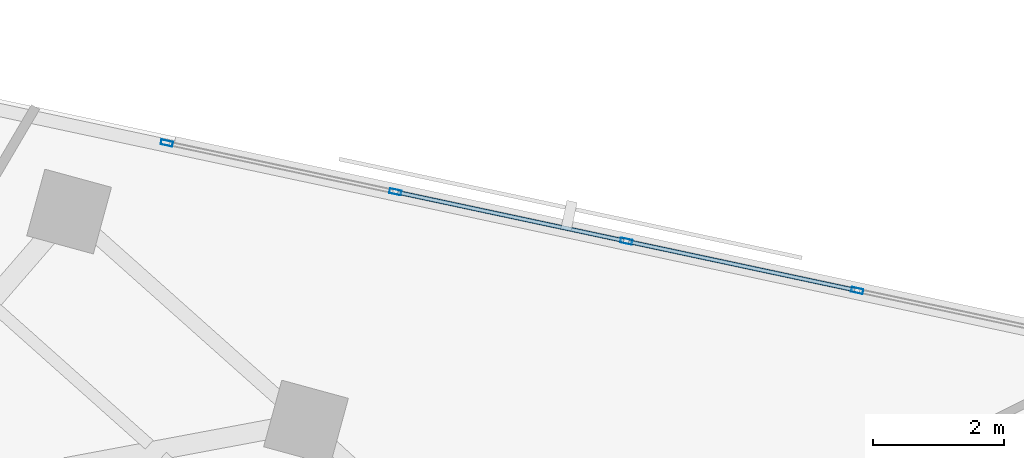
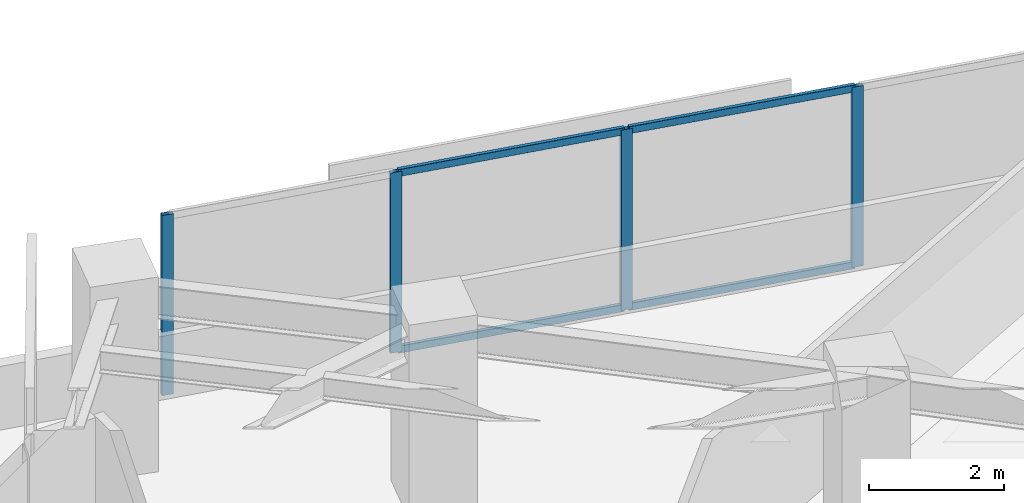
# One storey, part 4 of 13: 8 members, 1 element without a shape of its own.
"""IFC4 building model written with IfcOpenShell, lengths in metres."""

from ifc_helpers import new_model, si_unit, direction, frame, origin, origin_2d, place, context, subcontext, project, spatial, hollow_rectangle, extrude, material, material_profile, profile_set, type_object, element, aggregate, save


model = new_model("IFC4")

# Units and contexts
model_context = context("Model", 3, precision=1e-05, world=origin(), true_north=direction((0.0, 1.0)))
body_context = subcontext(model_context, "Body", "Model", "MODEL_VIEW")
ifc_project = project(units=[si_unit("LENGTHUNIT", "METRE"), si_unit("AREAUNIT", "SQUARE_METRE"), si_unit("VOLUMEUNIT", "CUBIC_METRE"), si_unit("PLANEANGLEUNIT", "RADIAN"), si_unit("MASSUNIT", "GRAM", prefix="KILO")], contexts=[model_context])

# Site, building, storey
site_placement = place(None, origin())
site = spatial("IfcSite", under=ifc_project, at=site_placement, CompositionType="ELEMENT")
building_placement = place(site_placement, origin())
building = spatial("IfcBuilding", under=site, at=building_placement, Name="Narakoshi Arena Tower", CompositionType="ELEMENT")
storey_placement = place(building_placement, frame((0.0, 0.0, 200.89990234375)))
storey = spatial("IfcBuildingStorey", under=building, at=storey_placement, Name="L54", CompositionType="ELEMENT", Elevation=200.89990234375)

# Curtain wall, members
ifc_material = material(Name="Anodised bronze aluminium 6063-T6", Category="aluminium")
curtain_wall_type = type_object("IfcCurtainWallType", Name="CW-HYP-MID", PredefinedType="NOTDEFINED", material=ifc_material)
curtain_wall_placement = place(storey_placement, origin())
curtain_wall = element("IfcCurtainWall", 1, at=curtain_wall_placement, inside=storey, type_object=curtain_wall_type, Name="L54 Folded Hypotenuse Curtain Wall 1-1", PredefinedType="NOTDEFINED")
ifc_material_profile_1 = material_profile(ifc_material, hollow_rectangle(XDim=0.074951171875, YDim=0.179931640625, WallThickness=0.00390625, OuterFilletRadius=0.0048828125, at=origin_2d()), Name="MUL180x75x4")
ifc_profile_set_1 = profile_set([ifc_material_profile_1], Name="Anodised bronze aluminium 6063-T6")
member_type_1 = type_object("IfcMemberType", Name="MEM-MUL-180", PredefinedType="MULLION", material=ifc_profile_set_1)
member_1_placement = place(storey_placement, frame((101.553955078125, 59.932861328125, 0.0), z_axis=(0.0, 0.0, 1.0), x_axis=(-0.208899163248, -0.977937185914, 0.0)))
member_1 = element("IfcMember", 2, at=member_1_placement, type_object=member_type_1, Name="CW-02 mullion 5", PredefinedType="MULLION", context=body_context, shape_type="SweptSolid", body=[
    extrude(hollow_rectangle(XDim=0.074951171875, YDim=0.179931640625, WallThickness=0.00390625, OuterFilletRadius=0.0048828125, at=origin_2d()), origin(), (0.0, 0.0, 1.0), 3.260009765625),
])
member_2_placement = place(storey_placement, frame((98.0400390625, 60.68359375, 0.0), z_axis=(0.0, 0.0, 1.0), x_axis=(-0.208899163248, -0.977937185914, 0.0)))
member_2 = element("IfcMember", 3, at=member_2_placement, type_object=member_type_1, Name="CW-02 mullion 6", PredefinedType="MULLION", context=body_context, shape_type="SweptSolid", body=[
    extrude(hollow_rectangle(XDim=0.074951171875, YDim=0.179931640625, WallThickness=0.00390625, OuterFilletRadius=0.0048828125, at=origin_2d()), origin(), (0.0, 0.0, 1.0), 3.260009765625),
])
member_3_placement = place(storey_placement, frame((94.52587890625, 61.434326171875, 0.0), z_axis=(0.0, 0.0, 1.0), x_axis=(-0.208899163248, -0.977937185914, 0.0)))
member_3 = element("IfcMember", 4, at=member_3_placement, type_object=member_type_1, Name="CW-02 mullion 7", PredefinedType="MULLION", context=body_context, shape_type="SweptSolid", body=[
    extrude(hollow_rectangle(XDim=0.074951171875, YDim=0.179931640625, WallThickness=0.00390625, OuterFilletRadius=0.0048828125, at=origin_2d()), origin(), (0.0, 0.0, 1.0), 3.260009765625),
])
member_4_placement = place(storey_placement, frame((91.04833984375, 62.177001953125, 0.0), z_axis=(0.0, 0.0, 1.0), x_axis=(-0.208899163248, -0.977937185914, 0.0)))
member_4 = element("IfcMember", 5, at=member_4_placement, type_object=member_type_1, Name="CW-02 mullion 8", PredefinedType="MULLION", context=body_context, shape_type="SweptSolid", body=[
    extrude(hollow_rectangle(XDim=0.074951171875, YDim=0.179931640625, WallThickness=0.00390625, OuterFilletRadius=0.0048828125, at=origin_2d()), origin(), (0.0, 0.0, 1.0), 3.260009765625),
])
ifc_material_profile_2 = material_profile(ifc_material, hollow_rectangle(XDim=0.06494140625, YDim=0.1298828125, WallThickness=0.00390625, OuterFilletRadius=0.0048828125, at=origin_2d()), Name="TRN130x65x4")
ifc_profile_set_2 = profile_set([ifc_material_profile_2], Name="Anodised bronze aluminium 6063-T6")
member_type_2 = type_object("IfcMemberType", Name="MEM-TRN-130", PredefinedType="USERDEFINED", material=ifc_profile_set_2)
member_5_placement = place(storey_placement, frame((101.517333984375, 59.940673828125, 0.03271484375), z_axis=(-0.977929169638, 0.208936686992, 0.0), x_axis=(-0.208936686992, -0.977929169638, 0.0)))
member_5 = element("IfcMember", 6, at=member_5_placement, type_object=member_type_2, Name="CW-02 transom 5.1", ObjectType="TRANSOM", PredefinedType="USERDEFINED", context=body_context, shape_type="SweptSolid", body=[
    extrude(hollow_rectangle(XDim=0.06494140625, YDim=0.1298828125, WallThickness=0.00390625, OuterFilletRadius=0.0048828125, at=origin_2d()), origin(), (0.0, 0.0, 1.0), 3.518310546875),
])
member_6_placement = place(storey_placement, frame((101.517333984375, 59.940673828125, 3.2275390625), z_axis=(-0.977929169638, 0.208936686992, 0.0), x_axis=(-0.208936686992, -0.977929169638, 0.0)))
member_6 = element("IfcMember", 7, at=member_6_placement, type_object=member_type_2, Name="CW-02 transom 5.2", ObjectType="TRANSOM", PredefinedType="USERDEFINED", context=body_context, shape_type="SweptSolid", body=[
    extrude(hollow_rectangle(XDim=0.06494140625, YDim=0.1298828125, WallThickness=0.00390625, OuterFilletRadius=0.0048828125, at=origin_2d()), origin(), (0.0, 0.0, 1.0), 3.518310546875),
])
member_7_placement = place(storey_placement, frame((98.003173828125, 60.69140625, 0.03271484375), z_axis=(-0.977929169638, 0.208936686992, 0.0), x_axis=(-0.208936686992, -0.977929169638, 0.0)))
member_7 = element("IfcMember", 8, at=member_7_placement, type_object=member_type_2, Name="CW-02 transom 6.1", ObjectType="TRANSOM", PredefinedType="USERDEFINED", context=body_context, shape_type="SweptSolid", body=[
    extrude(hollow_rectangle(XDim=0.06494140625, YDim=0.1298828125, WallThickness=0.00390625, OuterFilletRadius=0.0048828125, at=origin_2d()), origin(), (0.0, 0.0, 1.0), 3.518310546875),
])
member_8_placement = place(storey_placement, frame((98.003173828125, 60.69140625, 3.2275390625), z_axis=(-0.977929169638, 0.208936686992, 0.0), x_axis=(-0.208936686992, -0.977929169638, 0.0)))
member_8 = element("IfcMember", 9, at=member_8_placement, type_object=member_type_2, Name="CW-02 transom 6.2", ObjectType="TRANSOM", PredefinedType="USERDEFINED", context=body_context, shape_type="SweptSolid", body=[
    extrude(hollow_rectangle(XDim=0.06494140625, YDim=0.1298828125, WallThickness=0.00390625, OuterFilletRadius=0.0048828125, at=origin_2d()), origin(), (0.0, 0.0, 1.0), 3.518310546875),
])
aggregate(curtain_wall, [member_1, member_2, member_3, member_4, member_5, member_6, member_7, member_8])

save(model, "model.ifc")
